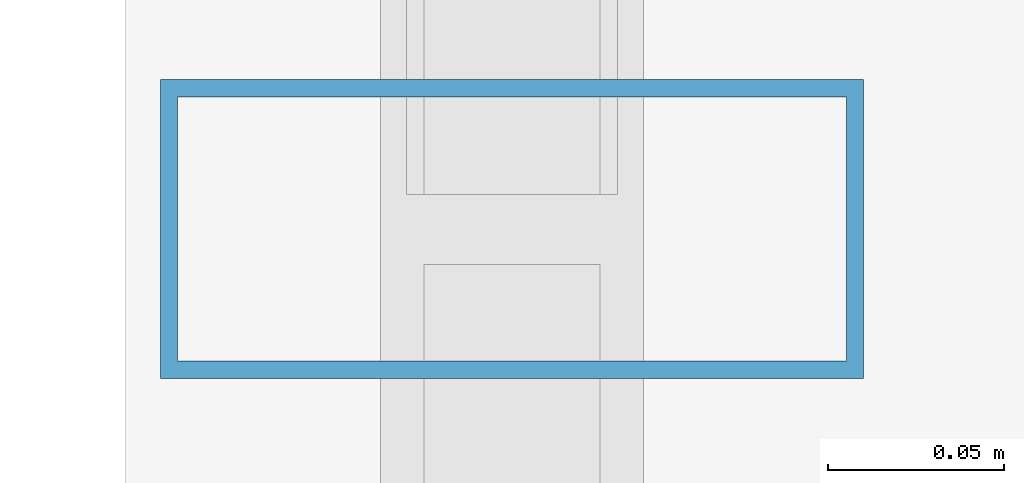
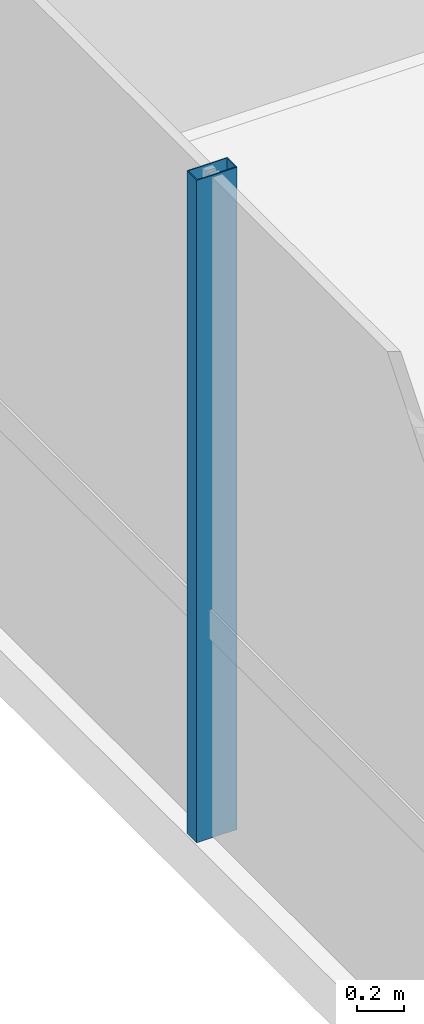
# One storey, part 8 of 41: 1 member, 1 element without a shape of its own.
"""IFC4 building model written with IfcOpenShell, lengths in metres."""

from ifc_helpers import new_model, si_unit, direction, frame, origin, origin_2d, place, context, subcontext, project, spatial, hollow_rectangle, extrude, source, transform, mapped, material, material_profile, profile_set, type_object, element, aggregate, save


model = new_model("IFC4")

# Units and contexts
model_context = context("Model", 3, precision=1e-05, world=origin(), true_north=direction((0.0, 1.0)))
body_context = subcontext(model_context, "Body", "Model", "MODEL_VIEW")
ifc_project = project(units=[si_unit("LENGTHUNIT", "METRE"), si_unit("AREAUNIT", "SQUARE_METRE"), si_unit("VOLUMEUNIT", "CUBIC_METRE"), si_unit("PLANEANGLEUNIT", "RADIAN"), si_unit("MASSUNIT", "GRAM", prefix="KILO")], contexts=[model_context])

# Site, building, storey
site_placement = place(None, origin())
site = spatial("IfcSite", under=ifc_project, at=site_placement, CompositionType="ELEMENT")
building_placement = place(site_placement, origin())
building = spatial("IfcBuilding", under=site, at=building_placement, Name="Valdorenza Pilgrim Sanctuary Tower", CompositionType="ELEMENT")
storey_placement = place(building_placement, frame((0.0, 0.0, 88.89990234375)))
storey = spatial("IfcBuildingStorey", under=building, at=storey_placement, Name="L22", CompositionType="ELEMENT", Elevation=88.89990234375)

# Curtain wall, member
ifc_material_1 = material(Name="Curtain-wall IGU glazing", Category="glass")
curtain_wall_type = type_object("IfcCurtainWallType", Name="CW-SYS-02", PredefinedType="NOTDEFINED", material=ifc_material_1)
curtain_wall_placement = place(storey_placement, origin())
curtain_wall = element("IfcCurtainWall", 1, at=curtain_wall_placement, inside=storey, type_object=curtain_wall_type, Name="L22 Curtain Wall CW-L22-1-1S1", PredefinedType="NOTDEFINED")
ifc_material_2 = material(Name="Anodised aluminium AW-6060", Category="aluminium")
ifc_material_profile = material_profile(ifc_material_2, hollow_rectangle(XDim=0.0849609375, YDim=0.199951171875, WallThickness=0.0048828125, at=origin_2d()), Name="ALU-M 200x85x5")
ifc_profile_set = profile_set([ifc_material_profile], Name="Anodised aluminium AW-6060")
member_type = type_object("IfcMemberType", Name="CW-MUL-02", PredefinedType="MULLION", material=ifc_profile_set)
shared_shape = source(origin(), body_context, "Body", "SweptSolid", [
    extrude(hollow_rectangle(XDim=0.0849609375, YDim=0.199951171875, WallThickness=0.0048828125, at=origin_2d()), origin(), (0.0, 0.0, 1.0), 3.460205078125),
])
member_placement = place(storey_placement, frame((-31.889892578125, -2.594482421875, 0.0), z_axis=(0.0, 0.0, 1.0), x_axis=(0.0, 1.0, 0.0)))
member = element("IfcMember", 2, at=member_placement, type_object=member_type, Name="CW-L22-1-1S1 Mullion 3", PredefinedType="MULLION", context=body_context, shape_type="MappedRepresentation", body=[
    mapped(shared_shape, transform((0.0, 0.0, 0.0), x_axis=(1.0, 0.0, 0.0), y_axis=(0.0, 1.0, 0.0), z_axis=(0.0, 0.0, 1.0), scale=1.0)),
])
aggregate(curtain_wall, [member])

save(model, "model.ifc")
